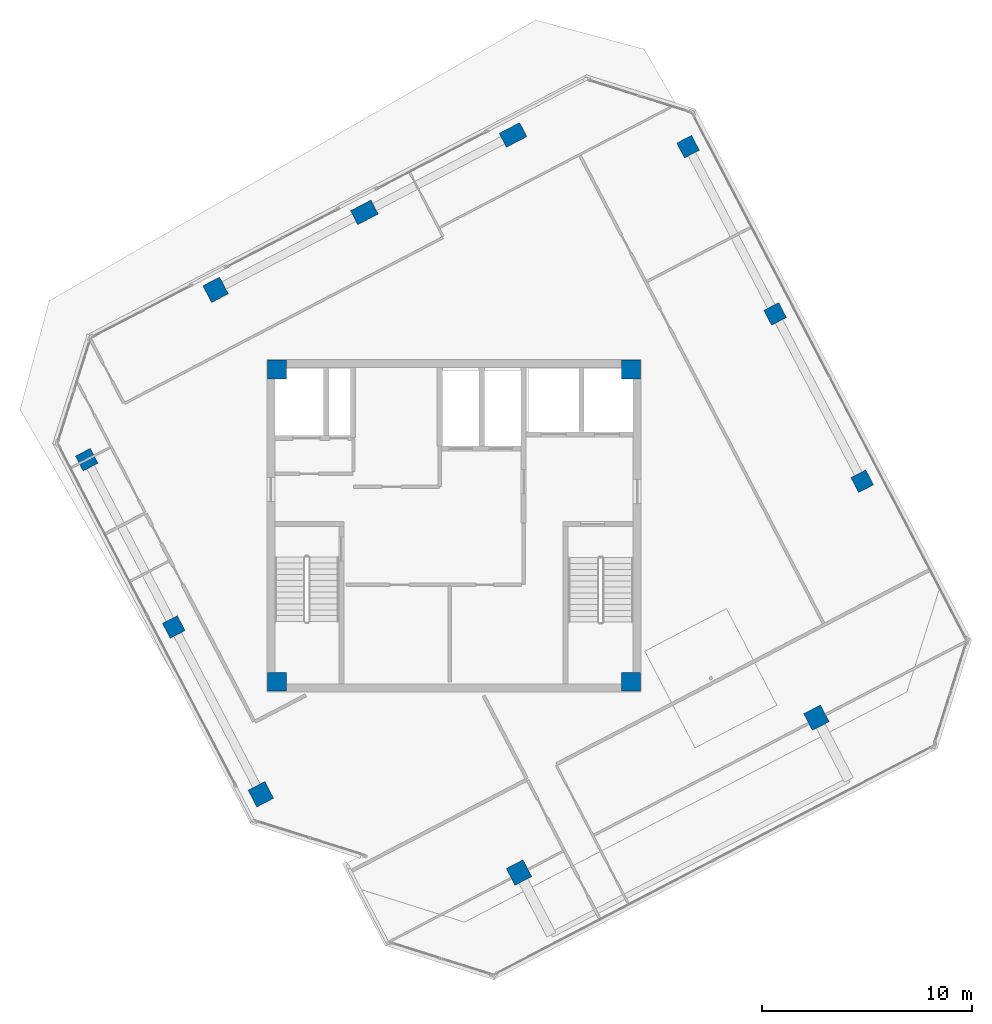
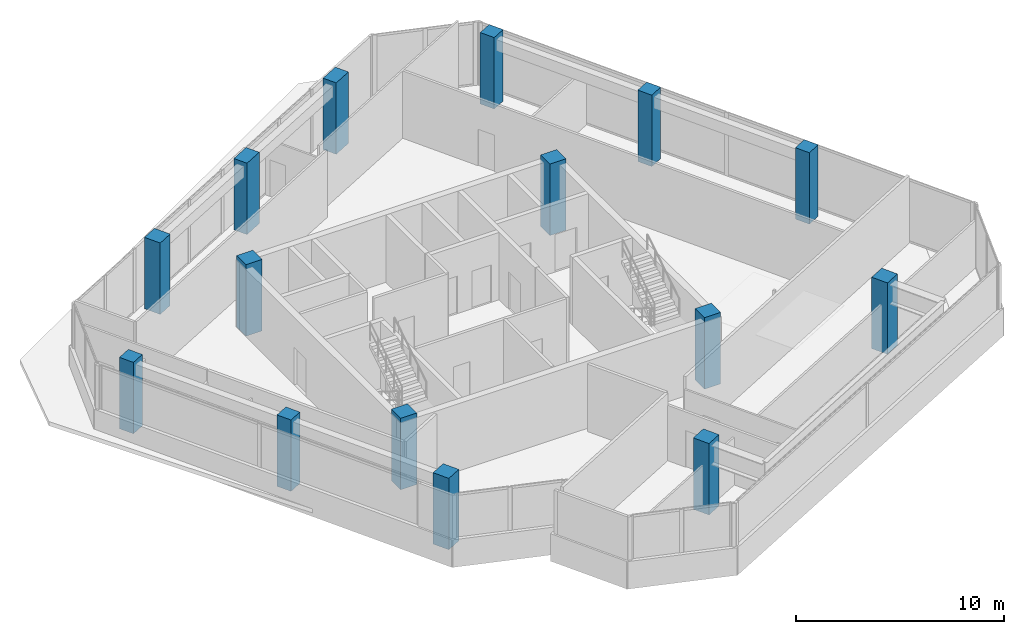
# One storey, part 1 of 16: 15 columns.
"""IFC4 building model written with IfcOpenShell, lengths in metres."""

from ifc_helpers import new_model, si_unit, direction, frame, origin, origin_2d, place, context, subcontext, project, spatial, rectangle, extrude, source, transform, mapped, material, material_profile, profile_set, type_object, element, save


model = new_model("IFC4")

# Units and contexts
model_context = context("Model", 3, precision=1e-05, world=origin(), true_north=direction((0.0, 1.0)))
body_context = subcontext(model_context, "Body", "Model", "MODEL_VIEW")
ifc_project = project(units=[si_unit("LENGTHUNIT", "METRE"), si_unit("AREAUNIT", "SQUARE_METRE"), si_unit("VOLUMEUNIT", "CUBIC_METRE"), si_unit("PLANEANGLEUNIT", "RADIAN"), si_unit("MASSUNIT", "GRAM", prefix="KILO")], contexts=[model_context])

# Site, building, storey
site_placement = place(None, origin())
site = spatial("IfcSite", under=ifc_project, at=site_placement, CompositionType="ELEMENT")
building_placement = place(site_placement, origin())
building = spatial("IfcBuilding", under=site, at=building_placement, Name="Torre Montelarca", CompositionType="ELEMENT")
storey_placement = place(building_placement, frame((0.0, 0.0, 328.199951171875)))
storey = spatial("IfcBuildingStorey", under=building, at=storey_placement, Name="L74", CompositionType="ELEMENT", Elevation=328.199951171875)

# Columns
ifc_material_1 = material(Name="Concrete C55/67", Category="concrete")
ifc_material_profile_1 = material_profile(ifc_material_1, rectangle(XDim=0.89990234375, YDim=0.89990234375, at=origin_2d()), Name="RC900X900", Category="concrete")
ifc_profile_set_1 = profile_set([ifc_material_profile_1], Name="Concrete C55/67")
column_type_1 = type_object("IfcColumnType", Name="COL-RC900", PredefinedType="COLUMN", material=ifc_profile_set_1)
shared_shape_1 = source(origin(), body_context, "Body", "SweptSolid", [
    extrude(rectangle(XDim=0.89990234375, YDim=0.89990234375, at=origin_2d()), origin(), (0.0, 0.0, 1.0), 4.198486328125),
])
for number, where, z_axis, x_axis, name in (
    (1, (9.550048828125, 24.550048828125, 0.000732421875), (0.0, 0.0, 1.0), (1.0, 0.0, 0.0), "L74 Plumb Core Corner Column 2D"),
    (2, (26.449951171875, 24.550048828125, 0.000732421875), (0.0, 0.0, 1.0), (1.0, 0.0, 0.0), "L74 Plumb Core Corner Column 4D"),
    (3, (9.550048828125, 39.449951171875, 0.000732421875), (0.0, 0.0, 1.0), (1.0, 0.0, 0.0), "L74 Plumb Core Corner Column 2F"),
    (4, (26.449951171875, 39.449951171875, 0.000732421875), (0.0, 0.0, 1.0), (1.0, 0.0, 0.0), "L74 Plumb Core Corner Column 4F"),
):
    element("IfcColumn", number, at=place(storey_placement, frame(where, z_axis=z_axis, x_axis=x_axis)), inside=storey, type_object=column_type_1, Name=name, PredefinedType="COLUMN", context=body_context, shape_type="MappedRepresentation", body=[
        mapped(shared_shape_1, transform((0.0, 0.0, 0.0), scale=1.0)),
    ])
ifc_material_2 = material(Name="Concrete C40/50", Category="concrete")
ifc_material_profile_2 = material_profile(ifc_material_2, rectangle(XDim=0.75, YDim=1.10009765625, at=origin_2d()), Name="RC1100X750", Category="concrete")
ifc_profile_set_2 = profile_set([ifc_material_profile_2], Name="Concrete C40/50")
column_type_2 = type_object("IfcColumnType", Name="COL-PIL1100-EXT", PredefinedType="PILASTER", material=ifc_profile_set_2)
shared_shape_2 = source(origin(), body_context, "Body", "SweptSolid", [
    extrude(rectangle(XDim=0.75, YDim=1.10009765625, at=origin_2d()), origin(), (0.0, 0.0, 1.0), 4.198486328125),
])
for number, where, z_axis, x_axis, name in (
    (5, (13.719482421875, 46.946044921875, 0.000732421875), (0.0, 0.0, 1.0), (-0.461748613235, 0.887010833178, 0.0), "L74 Column 1W/E"),
    (6, (20.815673828125, 50.64013671875, 0.000732421875), (0.0, 0.0, 1.0), (-0.461748613235, 0.887010833178, 0.0), "L74 Column 1W/F"),
):
    element("IfcColumn", number, at=place(storey_placement, frame(where, z_axis=z_axis, x_axis=x_axis)), inside=storey, type_object=column_type_2, Name=name, PredefinedType="PILASTER", context=body_context, shape_type="MappedRepresentation", body=[
        mapped(shared_shape_2, transform((0.0, 0.0, 0.0), scale=1.0)),
    ])
ifc_material_profile_3 = material_profile(ifc_material_1, rectangle(XDim=0.89990234375, YDim=0.89990234375, at=origin_2d()), Name="RC900X900", Category="concrete")
ifc_profile_set_3 = profile_set([ifc_material_profile_3], Name="Concrete C55/67")
column_type_3 = type_object("IfcColumnType", Name="COL-RC900-EXT", PredefinedType="COLUMN", material=ifc_profile_set_3)
shared_shape_3 = source(origin(), body_context, "Body", "SweptSolid", [
    extrude(rectangle(XDim=0.89990234375, YDim=0.89990234375, at=origin_2d()), origin(), (0.0, 0.0, 1.0), 4.198486328125),
])
for number, where, z_axis, x_axis, name in (
    (7, (8.782958984375, 19.179443359375, 0.000732421875), (0.0, 0.0, 1.0), (-0.461748613235, 0.887010833178, 0.0), "L74 Column 4/CS"),
    (8, (21.099365234375, 15.4443359375, 0.000732421875), (0.0, 0.0, 1.0), (-0.461748613235, 0.887010833178, 0.0), "L74 Column 5/D"),
    (9, (35.29150390625, 22.832275390625, 0.000732421875), (0.0, 0.0, 1.0), (-0.461748613235, 0.887010833178, 0.0), "L74 Column 5/F"),
    (10, (6.623291015625, 43.252197265625, 0.000732421875), (0.0, 0.0, 1.0), (-0.461748613235, 0.887010833178, 0.0), "L74 Column 1W/D"),
):
    element("IfcColumn", number, at=place(storey_placement, frame(where, z_axis=z_axis, x_axis=x_axis)), inside=storey, type_object=column_type_3, Name=name, PredefinedType="COLUMN", context=body_context, shape_type="MappedRepresentation", body=[
        mapped(shared_shape_3, transform((0.0, 0.0, 0.0), scale=1.0)),
    ])
ifc_material_profile_4 = material_profile(ifc_material_2, rectangle(XDim=0.800048828125, YDim=0.800048828125, at=origin_2d()), Name="RC800X800", Category="concrete")
ifc_profile_set_4 = profile_set([ifc_material_profile_4], Name="Concrete C40/50")
column_type_4 = type_object("IfcColumnType", Name="COL-RC800-EXT", PredefinedType="COLUMN", material=ifc_profile_set_4)
shared_shape_4 = source(origin(), body_context, "Body", "SweptSolid", [
    extrude(rectangle(XDim=0.800048828125, YDim=0.800048828125, at=origin_2d()), origin(), (0.0, 0.0, 1.0), 4.198486328125),
])
for number, where, z_axis, x_axis, name in (
    (11, (0.4716796875, 35.1455078125, 0.000732421875), (0.0, 0.0, 1.0), (-0.461748613235, 0.887010833178, 0.0), "L74 Column 2/CS"),
    (12, (29.16650390625, 50.0830078125, 0.000732421875), (0.0, 0.0, 1.0), (-0.461748613235, 0.887010833178, 0.0), "L74 Column 2/GN"),
    (13, (4.627197265625, 27.16259765625, 0.000732421875), (0.0, 0.0, 1.0), (-0.461748613235, 0.887010833178, 0.0), "L74 Column 3/CS"),
    (14, (33.322021484375, 42.10009765625, 0.000732421875), (0.0, 0.0, 1.0), (-0.461748613235, 0.887010833178, 0.0), "L74 Column 3/GN"),
    (15, (37.477783203125, 34.116943359375, 0.000732421875), (0.0, 0.0, 1.0), (-0.461748613235, 0.887010833178, 0.0), "L74 Column 4/GN"),
):
    element("IfcColumn", number, at=place(storey_placement, frame(where, z_axis=z_axis, x_axis=x_axis)), inside=storey, type_object=column_type_4, Name=name, PredefinedType="COLUMN", context=body_context, shape_type="MappedRepresentation", body=[
        mapped(shared_shape_4, transform((0.0, 0.0, 0.0), scale=1.0)),
    ])

save(model, "model.ifc")
